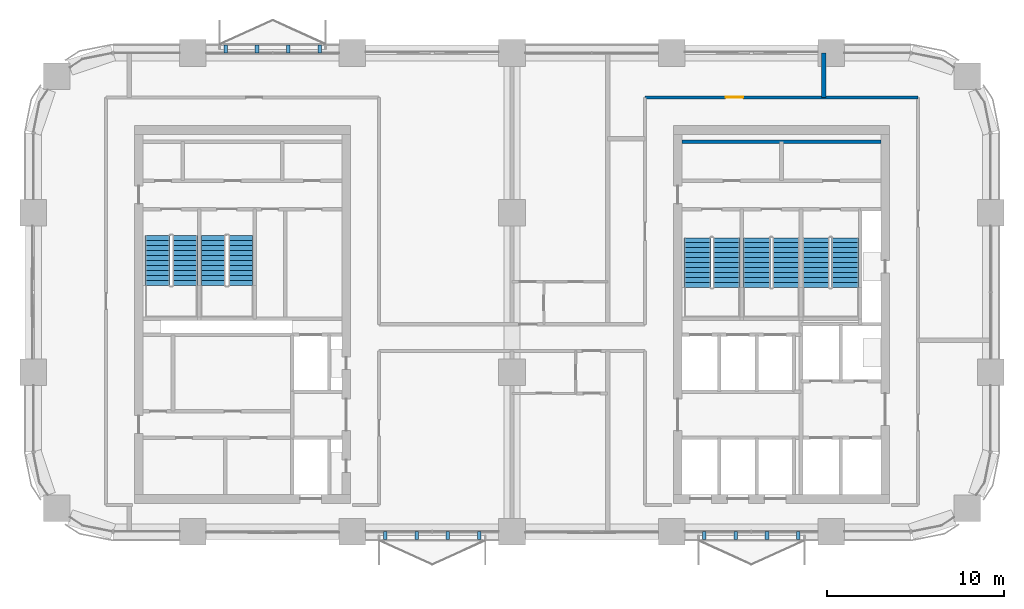
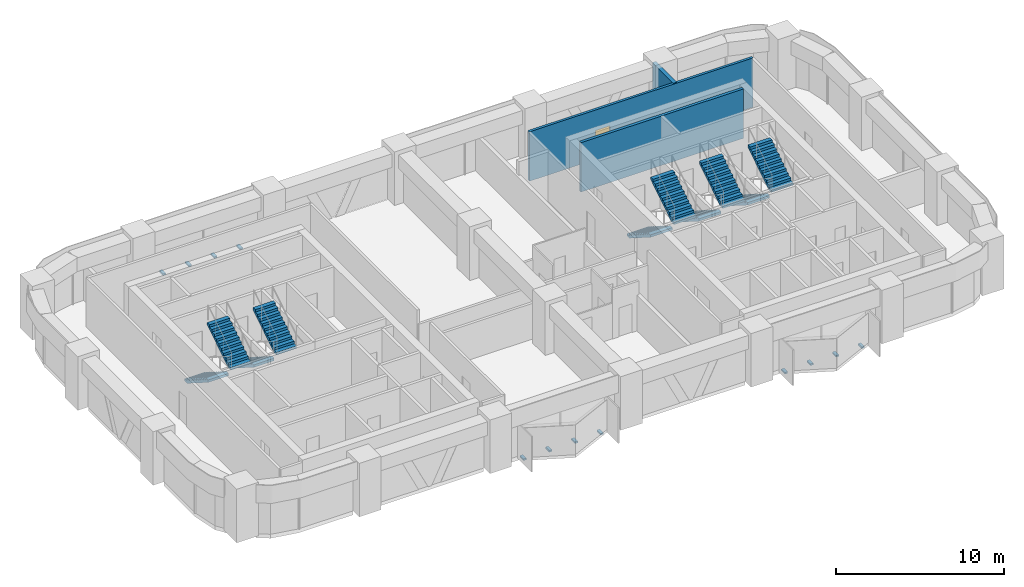
# One storey, part 11 of 13: 12 discrete accessories, 10 stair flights, 3 walls, 1 door, 1 opening, 5 elements without a shape of their own.
"""IFC4 building model written with IfcOpenShell, lengths in metres."""

from ifc_helpers import new_model, si_unit, direction, frame, frame_2d, origin, origin_2d, place, context, subcontext, project, spatial, polyline, rectangle, outline, extrude, material, layer, layer_set, type_object, element, fill, aggregate, save


model = new_model("IFC4")

# Units and contexts
model_context = context("Model", 3, precision=1e-05, world=origin(), true_north=direction((0.0, 1.0)))
body_context = subcontext(model_context, "Body", "Model", "MODEL_VIEW")
ifc_project = project(units=[si_unit("LENGTHUNIT", "METRE"), si_unit("AREAUNIT", "SQUARE_METRE"), si_unit("VOLUMEUNIT", "CUBIC_METRE"), si_unit("PLANEANGLEUNIT", "RADIAN"), si_unit("MASSUNIT", "GRAM", prefix="KILO")], contexts=[model_context])

# Site, building, storey
site_placement = place(None, origin())
site = spatial("IfcSite", under=ifc_project, at=site_placement, CompositionType="ELEMENT")
building_placement = place(site_placement, origin())
building = spatial("IfcBuilding", under=site, at=building_placement, Name="Tessera Arch", CompositionType="ELEMENT")
storey_placement = place(building_placement, frame((0.0, 0.0, 189.5)))
storey = spatial("IfcBuildingStorey", under=building, at=storey_placement, Name="L45", CompositionType="ELEMENT", Elevation=189.5)

# Wall
ifc_material_1 = material(Name="Gypsum board on steel stud", Category="steel")
ifc_layer_1 = layer(ifc_material_1, 0.125)
ifc_layer_set_1 = layer_set([ifc_layer_1], Name="Core partition 125 EI 60")
wall_type_1 = type_object("IfcWallType", Name="Core partition 125 EI 60", PredefinedType="PARTITIONING", material=ifc_layer_set_1)
wall_1_placement = place(storey_placement, frame((36.60009765625, 49.0, 0.0), z_axis=(0.0, 0.0, 1.0), x_axis=(1.0, 0.0, 0.0)))
element("IfcWall", 1, at=wall_1_placement, inside=storey, type_object=wall_type_1, Name="L45 C1 partition wall 32", PredefinedType="PARTITIONING", context=body_context, shape_type="SweptSolid", body=[
    extrude(rectangle(XDim=11.199951171875, YDim=0.199951171875, at=frame_2d((5.60009765625, 0.0))), origin(), (0.0, 0.0, 1.0), 3.60009765625),
])

# Wall, opening, door
ifc_material_2 = material(Name="Gypsum board on deep steel stud with mineral wool", Category="steel")
ifc_layer_2 = layer(ifc_material_2, 0.175048828125)
ifc_layer_set_2 = layer_set([ifc_layer_2], Name="Corridor wall 175 EI 60")
wall_type_2 = type_object("IfcWallType", Name="Corridor wall 175 EI 60", PredefinedType="PARTITIONING", material=ifc_layer_set_2)
wall_2_placement = place(storey_placement, frame((34.5, 51.5, 0.0), z_axis=(0.0, 0.0, 1.0), x_axis=(1.0, 0.0, 0.0)))
wall_2 = element("IfcWall", 2, at=wall_2_placement, inside=storey, type_object=wall_type_2, Name="L45 partition 8", PredefinedType="PARTITIONING", context=body_context, shape_type="SweptSolid", body=[
    extrude(rectangle(XDim=15.39990234375, YDim=0.175048828125, at=frame_2d((7.699951171875, 0.0))), origin(), (0.0, 0.0, 1.0), 3.60009765625),
])
opening_placement = place(wall_2_placement, frame((4.5419921875, 0.0, 0.0)))
opening = element("IfcOpeningElement", 3, at=opening_placement, cuts=wall_2, Name="Opening L45-D015", PredefinedType="OPENING", context=body_context, shape_type="SweptSolid", body=[
    extrude(rectangle(XDim=1.0, YDim=2.10009765625, at=frame_2d((0.5, 1.050048828125))), frame((0.0, 0.097412109375, 0.0), z_axis=(0.0, -1.0, 0.0), x_axis=(1.0, 0.0, 0.0)), (0.0, 0.0, 1.0), 0.195068359375),
])
ifc_material_3 = material(Name="Fire-rated door leaf")
door_type = type_object("IfcDoorType", Name="Entrance door FD30S 1000 x 2100", OperationType="SINGLE_SWING_LEFT", PredefinedType="DOOR", material=ifc_material_3)
door_placement = place(opening_placement, origin())
door = element("IfcDoor", 4, at=door_placement, inside=storey, type_object=door_type, Name="L45 door D015 type D03", OperationType="SINGLE_SWING_LEFT", OverallHeight=2.10009765625, OverallWidth=1.0, PredefinedType="DOOR", context=body_context, shape_type="SweptSolid", body=[
    extrude(rectangle(XDim=1.0, YDim=2.10009765625, at=frame_2d((0.5, 1.050048828125))), frame((0.0, 0.02490234375, 0.0), z_axis=(0.0, -1.0, 0.0), x_axis=(1.0, 0.0, 0.0)), (0.0, 0.0, 1.0), 0.050048828125),
])
fill(opening, door)

# Wall
ifc_material_4 = material(Name="Double gypsum board on twin steel stud with acoustic mineral wool", Category="steel")
ifc_layer_3 = layer(ifc_material_4, 0.25)
ifc_layer_set_3 = layer_set([ifc_layer_3], Name="Party wall 250 EI 60")
wall_type_3 = type_object("IfcWallType", Name="Party wall 250 EI 60", PredefinedType="PARTITIONING", material=ifc_layer_set_3)
wall_3_placement = place(storey_placement, frame((44.583984375, 51.5, 0.0), z_axis=(0.0, 0.0, 1.0), x_axis=(0.0, 1.0, 0.0)))
element("IfcWall", 5, at=wall_3_placement, inside=storey, type_object=wall_type_3, Name="L45 partition 25", PredefinedType="PARTITIONING", context=body_context, shape_type="SweptSolid", body=[
    extrude(rectangle(XDim=2.5, YDim=0.25, at=frame_2d((1.25, 0.0))), origin(), (0.0, 0.0, 1.0), 3.60009765625),
])

# Stair, stair flights
ifc_material_5 = material(Name="Concrete C40/50", Category="concrete")
stair_type_1 = type_object("IfcStairType", Name="Dogleg stair 1400", PredefinedType="HALF_TURN_STAIR", material=ifc_material_5)
stair_1_placement = place(storey_placement, origin())
stair_1 = element("IfcStair", 6, at=stair_1_placement, inside=storey, type_object=stair_type_1, Name="L45 S2a", PredefinedType="HALF_TURN_STAIR")
ifc_material_6 = material(Name="Concrete C40/50", Category="concrete")
stair_flight_type_1 = type_object("IfcStairFlightType", Name="Stair flight 1400", PredefinedType="STRAIGHT", material=ifc_material_6)
stair_flight_1_placement = place(storey_placement, frame((7.0, 43.699951171875, 0.0), z_axis=(0.0, 0.0, 1.0), x_axis=(0.0, -1.0, 0.0)))
stair_flight_1 = element("IfcStairFlight", 7, at=stair_flight_1_placement, type_object=stair_flight_type_1, Name="S2a flight 1", NumberOfRisers=11, NumberOfTreads=10, PredefinedType="STRAIGHT", RiserHeight=0.177272727, TreadLength=0.28, context=body_context, shape_type="SweptSolid", body=[
    extrude(outline(polyline([(0.0, 0.0), (0.0, 0.17724609375), (0.280029296875, 0.17724609375), (0.280029296875, 0.3544921875), (0.56005859375, 0.3544921875), (0.56005859375, 0.53173828125), (0.840087890625, 0.53173828125), (0.840087890625, 0.708984375), (1.1201171875, 0.708984375), (1.1201171875, 0.886474609375), (1.39990234375, 0.886474609375), (1.39990234375, 1.063720703125), (1.679931640625, 1.063720703125), (1.679931640625, 1.240966796875), (1.9599609375, 1.240966796875), (1.9599609375, 1.418212890625), (2.239990234375, 1.418212890625), (2.239990234375, 1.595458984375), (2.52001953125, 1.595458984375), (2.52001953125, 1.772705078125), (2.800048828125, 1.772705078125), (2.800048828125, 1.949951171875), (2.800048828125, 1.59521484375), (0.2802734375, 0.0), (0.0, 0.0)])), frame((0.0, 0.699951171875, 0.0), z_axis=(0.0, -1.0, 0.0), x_axis=(1.0, 0.0, 0.0)), (0.0, 0.0, 1.0), 1.39990234375),
])
stair_flight_2_placement = place(storey_placement, frame((8.550048828125, 40.89990234375, 1.949951171875), z_axis=(0.0, 0.0, 1.0), x_axis=(0.0, 1.0, 0.0)))
stair_flight_2 = element("IfcStairFlight", 8, at=stair_flight_2_placement, type_object=stair_flight_type_1, Name="S2a flight 2", NumberOfRisers=11, NumberOfTreads=10, PredefinedType="STRAIGHT", RiserHeight=0.177272727, TreadLength=0.28, context=body_context, shape_type="SweptSolid", body=[
    extrude(outline(polyline([(0.0, 0.0), (0.0, 0.17724609375), (0.280029296875, 0.17724609375), (0.280029296875, 0.3544921875), (0.56005859375, 0.3544921875), (0.56005859375, 0.53173828125), (0.840087890625, 0.53173828125), (0.840087890625, 0.708984375), (1.1201171875, 0.708984375), (1.1201171875, 0.886474609375), (1.39990234375, 0.886474609375), (1.39990234375, 1.063720703125), (1.679931640625, 1.063720703125), (1.679931640625, 1.240966796875), (1.9599609375, 1.240966796875), (1.9599609375, 1.418212890625), (2.239990234375, 1.418212890625), (2.239990234375, 1.595458984375), (2.52001953125, 1.595458984375), (2.52001953125, 1.772705078125), (2.800048828125, 1.772705078125), (2.800048828125, 1.949951171875), (2.800048828125, 1.59521484375), (0.2802734375, 0.0), (0.0, 0.0)])), frame((0.0, 0.699951171875, 0.0), z_axis=(0.0, -1.0, 0.0), x_axis=(1.0, 0.0, 0.0)), (0.0, 0.0, 1.0), 1.39990234375),
])
aggregate(stair_1, [stair_flight_1, stair_flight_2])

stair_2_placement = place(storey_placement, origin())
stair_2 = element("IfcStair", 9, at=stair_2_placement, inside=storey, type_object=stair_type_1, Name="L45 S2b", PredefinedType="HALF_TURN_STAIR")
stair_flight_3_placement = place(storey_placement, frame((10.14990234375, 43.699951171875, 0.0), z_axis=(0.0, 0.0, 1.0), x_axis=(0.0, -1.0, 0.0)))
stair_flight_3 = element("IfcStairFlight", 10, at=stair_flight_3_placement, type_object=stair_flight_type_1, Name="S2b flight 1", NumberOfRisers=11, NumberOfTreads=10, PredefinedType="STRAIGHT", RiserHeight=0.177272727, TreadLength=0.28, context=body_context, shape_type="SweptSolid", body=[
    extrude(outline(polyline([(0.0, 0.0), (0.0, 0.17724609375), (0.280029296875, 0.17724609375), (0.280029296875, 0.3544921875), (0.56005859375, 0.3544921875), (0.56005859375, 0.53173828125), (0.840087890625, 0.53173828125), (0.840087890625, 0.708984375), (1.1201171875, 0.708984375), (1.1201171875, 0.886474609375), (1.39990234375, 0.886474609375), (1.39990234375, 1.063720703125), (1.679931640625, 1.063720703125), (1.679931640625, 1.240966796875), (1.9599609375, 1.240966796875), (1.9599609375, 1.418212890625), (2.239990234375, 1.418212890625), (2.239990234375, 1.595458984375), (2.52001953125, 1.595458984375), (2.52001953125, 1.772705078125), (2.800048828125, 1.772705078125), (2.800048828125, 1.949951171875), (2.800048828125, 1.59521484375), (0.2802734375, 0.0), (0.0, 0.0)])), frame((0.0, 0.699951171875, 0.0), z_axis=(0.0, -1.0, 0.0), x_axis=(1.0, 0.0, 0.0)), (0.0, 0.0, 1.0), 1.39990234375),
])
stair_flight_4_placement = place(storey_placement, frame((11.699951171875, 40.89990234375, 1.949951171875), z_axis=(0.0, 0.0, 1.0), x_axis=(0.0, 1.0, 0.0)))
stair_flight_4 = element("IfcStairFlight", 11, at=stair_flight_4_placement, type_object=stair_flight_type_1, Name="S2b flight 2", NumberOfRisers=11, NumberOfTreads=10, PredefinedType="STRAIGHT", RiserHeight=0.177272727, TreadLength=0.28, context=body_context, shape_type="SweptSolid", body=[
    extrude(outline(polyline([(0.0, 0.0), (0.0, 0.17724609375), (0.280029296875, 0.17724609375), (0.280029296875, 0.3544921875), (0.56005859375, 0.3544921875), (0.56005859375, 0.53173828125), (0.840087890625, 0.53173828125), (0.840087890625, 0.708984375), (1.1201171875, 0.708984375), (1.1201171875, 0.886474609375), (1.39990234375, 0.886474609375), (1.39990234375, 1.063720703125), (1.679931640625, 1.063720703125), (1.679931640625, 1.240966796875), (1.9599609375, 1.240966796875), (1.9599609375, 1.418212890625), (2.239990234375, 1.418212890625), (2.239990234375, 1.595458984375), (2.52001953125, 1.595458984375), (2.52001953125, 1.772705078125), (2.800048828125, 1.772705078125), (2.800048828125, 1.949951171875), (2.800048828125, 1.59521484375), (0.2802734375, 0.0), (0.0, 0.0)])), frame((0.0, 0.699951171875, 0.0), z_axis=(0.0, -1.0, 0.0), x_axis=(1.0, 0.0, 0.0)), (0.0, 0.0, 1.0), 1.39990234375),
])
aggregate(stair_2, [stair_flight_3, stair_flight_4])

ifc_material_7 = material(Name="Concrete C40/50", Category="concrete")
stair_type_2 = type_object("IfcStairType", Name="Dogleg stair 1520", PredefinedType="HALF_TURN_STAIR", material=ifc_material_7)
stair_3_placement = place(storey_placement, origin())
stair_3 = element("IfcStair", 12, at=stair_3_placement, inside=storey, type_object=stair_type_2, Name="L45 S1a", PredefinedType="HALF_TURN_STAIR")
ifc_material_8 = material(Name="Concrete C40/50", Category="concrete")
stair_flight_type_2 = type_object("IfcStairFlightType", Name="Stair flight 1520", PredefinedType="STRAIGHT", material=ifc_material_8)
stair_flight_5_placement = place(storey_placement, frame((37.4599609375, 43.580078125, 0.0), z_axis=(0.0, 0.0, 1.0), x_axis=(0.0, -1.0, 0.0)))
stair_flight_5 = element("IfcStairFlight", 13, at=stair_flight_5_placement, type_object=stair_flight_type_2, Name="S1a flight 1", NumberOfRisers=11, NumberOfTreads=10, PredefinedType="STRAIGHT", RiserHeight=0.177272727, TreadLength=0.28, context=body_context, shape_type="SweptSolid", body=[
    extrude(outline(polyline([(0.0, 0.0), (0.0, 0.17724609375), (0.280029296875, 0.17724609375), (0.280029296875, 0.3544921875), (0.56005859375, 0.3544921875), (0.56005859375, 0.53173828125), (0.840087890625, 0.53173828125), (0.840087890625, 0.708984375), (1.1201171875, 0.708984375), (1.1201171875, 0.886474609375), (1.39990234375, 0.886474609375), (1.39990234375, 1.063720703125), (1.679931640625, 1.063720703125), (1.679931640625, 1.240966796875), (1.9599609375, 1.240966796875), (1.9599609375, 1.418212890625), (2.239990234375, 1.418212890625), (2.239990234375, 1.595458984375), (2.52001953125, 1.595458984375), (2.52001953125, 1.772705078125), (2.800048828125, 1.772705078125), (2.800048828125, 1.949951171875), (2.800048828125, 1.59521484375), (0.2802734375, 0.0), (0.0, 0.0)])), frame((0.0, 0.760009765625, 0.0), z_axis=(0.0, -1.0, 0.0), x_axis=(1.0, 0.0, 0.0)), (0.0, 0.0, 1.0), 1.52001953125),
])
stair_flight_6_placement = place(storey_placement, frame((39.090087890625, 40.780029296875, 1.949951171875), z_axis=(0.0, 0.0, 1.0), x_axis=(0.0, 1.0, 0.0)))
stair_flight_6 = element("IfcStairFlight", 14, at=stair_flight_6_placement, type_object=stair_flight_type_2, Name="S1a flight 2", NumberOfRisers=11, NumberOfTreads=10, PredefinedType="STRAIGHT", RiserHeight=0.177272727, TreadLength=0.28, context=body_context, shape_type="SweptSolid", body=[
    extrude(outline(polyline([(0.0, 0.0), (0.0, 0.17724609375), (0.280029296875, 0.17724609375), (0.280029296875, 0.3544921875), (0.56005859375, 0.3544921875), (0.56005859375, 0.53173828125), (0.840087890625, 0.53173828125), (0.840087890625, 0.708984375), (1.1201171875, 0.708984375), (1.1201171875, 0.886474609375), (1.39990234375, 0.886474609375), (1.39990234375, 1.063720703125), (1.679931640625, 1.063720703125), (1.679931640625, 1.240966796875), (1.9599609375, 1.240966796875), (1.9599609375, 1.418212890625), (2.239990234375, 1.418212890625), (2.239990234375, 1.595458984375), (2.52001953125, 1.595458984375), (2.52001953125, 1.772705078125), (2.800048828125, 1.772705078125), (2.800048828125, 1.949951171875), (2.800048828125, 1.59521484375), (0.2802734375, 0.0), (0.0, 0.0)])), frame((0.0, 0.760009765625, 0.0), z_axis=(0.0, -1.0, 0.0), x_axis=(1.0, 0.0, 0.0)), (0.0, 0.0, 1.0), 1.52001953125),
])
aggregate(stair_3, [stair_flight_5, stair_flight_6])

stair_4_placement = place(storey_placement, origin())
stair_4 = element("IfcStair", 15, at=stair_4_placement, inside=storey, type_object=stair_type_2, Name="L45 S1b", PredefinedType="HALF_TURN_STAIR")
stair_flight_7_placement = place(storey_placement, frame((40.81005859375, 43.580078125, 0.0), z_axis=(0.0, 0.0, 1.0), x_axis=(0.0, -1.0, 0.0)))
stair_flight_7 = element("IfcStairFlight", 16, at=stair_flight_7_placement, type_object=stair_flight_type_2, Name="S1b flight 1", NumberOfRisers=11, NumberOfTreads=10, PredefinedType="STRAIGHT", RiserHeight=0.177272727, TreadLength=0.28, context=body_context, shape_type="SweptSolid", body=[
    extrude(outline(polyline([(0.0, 0.0), (0.0, 0.17724609375), (0.280029296875, 0.17724609375), (0.280029296875, 0.3544921875), (0.56005859375, 0.3544921875), (0.56005859375, 0.53173828125), (0.840087890625, 0.53173828125), (0.840087890625, 0.708984375), (1.1201171875, 0.708984375), (1.1201171875, 0.886474609375), (1.39990234375, 0.886474609375), (1.39990234375, 1.063720703125), (1.679931640625, 1.063720703125), (1.679931640625, 1.240966796875), (1.9599609375, 1.240966796875), (1.9599609375, 1.418212890625), (2.239990234375, 1.418212890625), (2.239990234375, 1.595458984375), (2.52001953125, 1.595458984375), (2.52001953125, 1.772705078125), (2.800048828125, 1.772705078125), (2.800048828125, 1.949951171875), (2.800048828125, 1.59521484375), (0.2802734375, 0.0), (0.0, 0.0)])), frame((0.0, 0.760009765625, 0.0), z_axis=(0.0, -1.0, 0.0), x_axis=(1.0, 0.0, 0.0)), (0.0, 0.0, 1.0), 1.52001953125),
])
stair_flight_8_placement = place(storey_placement, frame((42.43994140625, 40.780029296875, 1.949951171875), z_axis=(0.0, 0.0, 1.0), x_axis=(0.0, 1.0, 0.0)))
stair_flight_8 = element("IfcStairFlight", 17, at=stair_flight_8_placement, type_object=stair_flight_type_2, Name="S1b flight 2", NumberOfRisers=11, NumberOfTreads=10, PredefinedType="STRAIGHT", RiserHeight=0.177272727, TreadLength=0.28, context=body_context, shape_type="SweptSolid", body=[
    extrude(outline(polyline([(0.0, 0.0), (0.0, 0.17724609375), (0.280029296875, 0.17724609375), (0.280029296875, 0.3544921875), (0.56005859375, 0.3544921875), (0.56005859375, 0.53173828125), (0.840087890625, 0.53173828125), (0.840087890625, 0.708984375), (1.1201171875, 0.708984375), (1.1201171875, 0.886474609375), (1.39990234375, 0.886474609375), (1.39990234375, 1.063720703125), (1.679931640625, 1.063720703125), (1.679931640625, 1.240966796875), (1.9599609375, 1.240966796875), (1.9599609375, 1.418212890625), (2.239990234375, 1.418212890625), (2.239990234375, 1.595458984375), (2.52001953125, 1.595458984375), (2.52001953125, 1.772705078125), (2.800048828125, 1.772705078125), (2.800048828125, 1.949951171875), (2.800048828125, 1.59521484375), (0.2802734375, 0.0), (0.0, 0.0)])), frame((0.0, 0.760009765625, 0.0), z_axis=(0.0, -1.0, 0.0), x_axis=(1.0, 0.0, 0.0)), (0.0, 0.0, 1.0), 1.52001953125),
])
aggregate(stair_4, [stair_flight_7, stair_flight_8])

stair_5_placement = place(storey_placement, origin())
stair_5 = element("IfcStair", 18, at=stair_5_placement, inside=storey, type_object=stair_type_2, Name="L45 S1c", PredefinedType="HALF_TURN_STAIR")
stair_flight_9_placement = place(storey_placement, frame((44.159912109375, 43.580078125, 0.0), z_axis=(0.0, 0.0, 1.0), x_axis=(0.0, -1.0, 0.0)))
stair_flight_9 = element("IfcStairFlight", 19, at=stair_flight_9_placement, type_object=stair_flight_type_2, Name="S1c flight 1", NumberOfRisers=11, NumberOfTreads=10, PredefinedType="STRAIGHT", RiserHeight=0.177272727, TreadLength=0.28, context=body_context, shape_type="SweptSolid", body=[
    extrude(outline(polyline([(0.0, 0.0), (0.0, 0.17724609375), (0.280029296875, 0.17724609375), (0.280029296875, 0.3544921875), (0.56005859375, 0.3544921875), (0.56005859375, 0.53173828125), (0.840087890625, 0.53173828125), (0.840087890625, 0.708984375), (1.1201171875, 0.708984375), (1.1201171875, 0.886474609375), (1.39990234375, 0.886474609375), (1.39990234375, 1.063720703125), (1.679931640625, 1.063720703125), (1.679931640625, 1.240966796875), (1.9599609375, 1.240966796875), (1.9599609375, 1.418212890625), (2.239990234375, 1.418212890625), (2.239990234375, 1.595458984375), (2.52001953125, 1.595458984375), (2.52001953125, 1.772705078125), (2.800048828125, 1.772705078125), (2.800048828125, 1.949951171875), (2.800048828125, 1.59521484375), (0.2802734375, 0.0), (0.0, 0.0)])), frame((0.0, 0.760009765625, 0.0), z_axis=(0.0, -1.0, 0.0), x_axis=(1.0, 0.0, 0.0)), (0.0, 0.0, 1.0), 1.52001953125),
])
stair_flight_10_placement = place(storey_placement, frame((45.7900390625, 40.780029296875, 1.949951171875), z_axis=(0.0, 0.0, 1.0), x_axis=(0.0, 1.0, 0.0)))
stair_flight_10 = element("IfcStairFlight", 20, at=stair_flight_10_placement, type_object=stair_flight_type_2, Name="S1c flight 2", NumberOfRisers=11, NumberOfTreads=10, PredefinedType="STRAIGHT", RiserHeight=0.177272727, TreadLength=0.28, context=body_context, shape_type="SweptSolid", body=[
    extrude(outline(polyline([(0.0, 0.0), (0.0, 0.17724609375), (0.280029296875, 0.17724609375), (0.280029296875, 0.3544921875), (0.56005859375, 0.3544921875), (0.56005859375, 0.53173828125), (0.840087890625, 0.53173828125), (0.840087890625, 0.708984375), (1.1201171875, 0.708984375), (1.1201171875, 0.886474609375), (1.39990234375, 0.886474609375), (1.39990234375, 1.063720703125), (1.679931640625, 1.063720703125), (1.679931640625, 1.240966796875), (1.9599609375, 1.240966796875), (1.9599609375, 1.418212890625), (2.239990234375, 1.418212890625), (2.239990234375, 1.595458984375), (2.52001953125, 1.595458984375), (2.52001953125, 1.772705078125), (2.800048828125, 1.772705078125), (2.800048828125, 1.949951171875), (2.800048828125, 1.59521484375), (0.2802734375, 0.0), (0.0, 0.0)])), frame((0.0, 0.760009765625, 0.0), z_axis=(0.0, -1.0, 0.0), x_axis=(1.0, 0.0, 0.0)), (0.0, 0.0, 1.0), 1.52001953125),
])
aggregate(stair_5, [stair_flight_9, stair_flight_10])

# Discrete accessories
for number, where, z_axis, x_axis, name in (
    (21, (37.85009765625, 26.780029296875, -0.1201171875), (0.0, 0.0, 1.0), (0.0, -1.0, 0.0), "Window box bracket"),
    (22, (39.61669921875, 26.780029296875, -0.1201171875), (0.0, 0.0, 1.0), (0.0, -1.0, 0.0), "Window box bracket"),
    (23, (41.38330078125, 26.780029296875, -0.1201171875), (0.0, 0.0, 1.0), (0.0, -1.0, 0.0), "Window box bracket"),
    (24, (43.14990234375, 26.780029296875, -0.1201171875), (0.0, 0.0, 1.0), (0.0, -1.0, 0.0), "Window box bracket"),
    (25, (16.14990234375, 54.219970703125, -0.1201171875), (0.0, 0.0, 1.0), (0.0, 1.0, 0.0), "Window box bracket"),
    (26, (14.38330078125, 54.219970703125, -0.1201171875), (0.0, 0.0, 1.0), (0.0, 1.0, 0.0), "Window box bracket"),
    (27, (12.61669921875, 54.219970703125, -0.1201171875), (0.0, 0.0, 1.0), (0.0, 1.0, 0.0), "Window box bracket"),
    (28, (10.85009765625, 54.219970703125, -0.1201171875), (0.0, 0.0, 1.0), (0.0, 1.0, 0.0), "Window box bracket"),
    (29, (19.85009765625, 26.780029296875, -0.1201171875), (0.0, 0.0, 1.0), (0.0, -1.0, 0.0), "Window box bracket"),
    (30, (21.61669921875, 26.780029296875, -0.1201171875), (0.0, 0.0, 1.0), (0.0, -1.0, 0.0), "Window box bracket"),
    (31, (23.38330078125, 26.780029296875, -0.1201171875), (0.0, 0.0, 1.0), (0.0, -1.0, 0.0), "Window box bracket"),
    (32, (25.14990234375, 26.780029296875, -0.1201171875), (0.0, 0.0, 1.0), (0.0, -1.0, 0.0), "Window box bracket"),
):
    element("IfcDiscreteAccessory", number, at=place(storey_placement, frame(where, z_axis=z_axis, x_axis=x_axis)), inside=storey, Name=name, PredefinedType="BRACKET", context=body_context, shape_type="SweptSolid", body=[
        extrude(rectangle(XDim=0.43994140625, YDim=0.199951171875, at=origin_2d()), origin(), (0.0, 0.0, 1.0), 0.1201171875),
    ])

save(model, "model.ifc")
